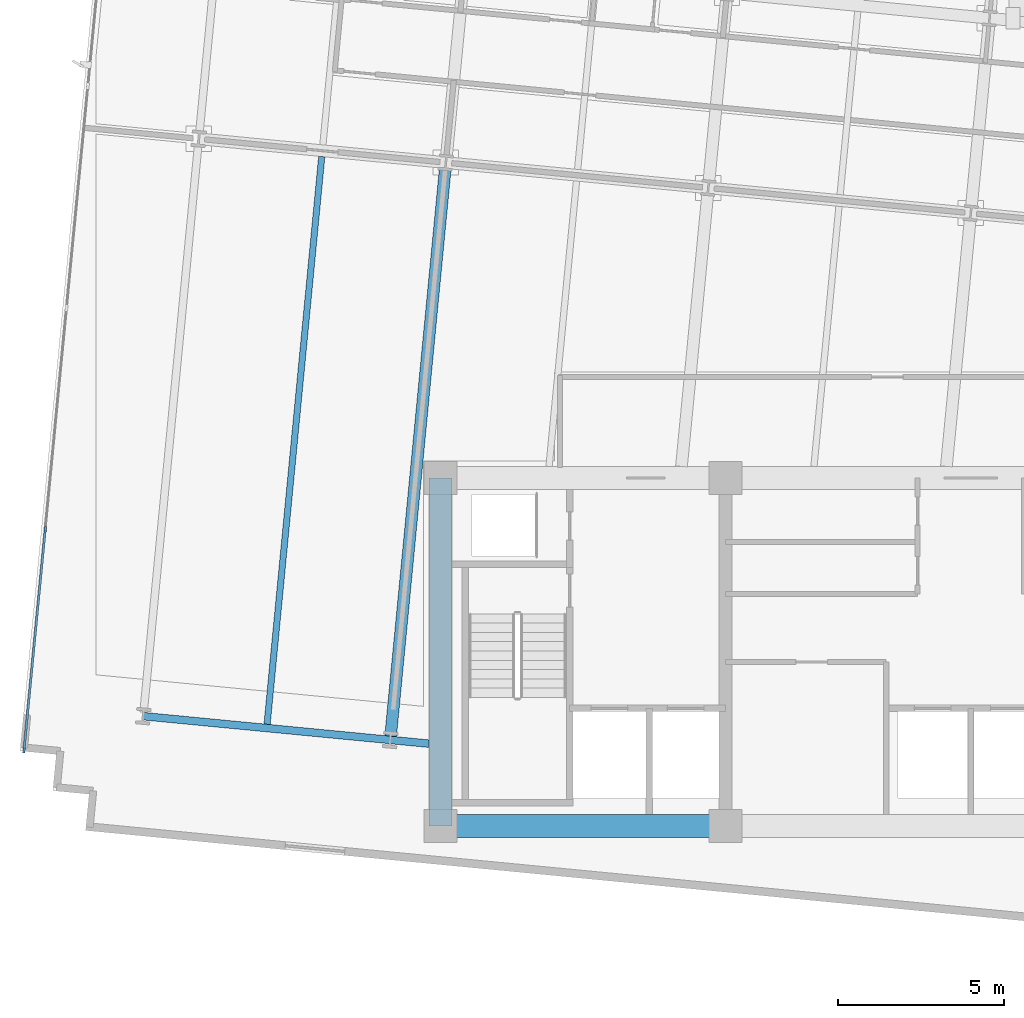
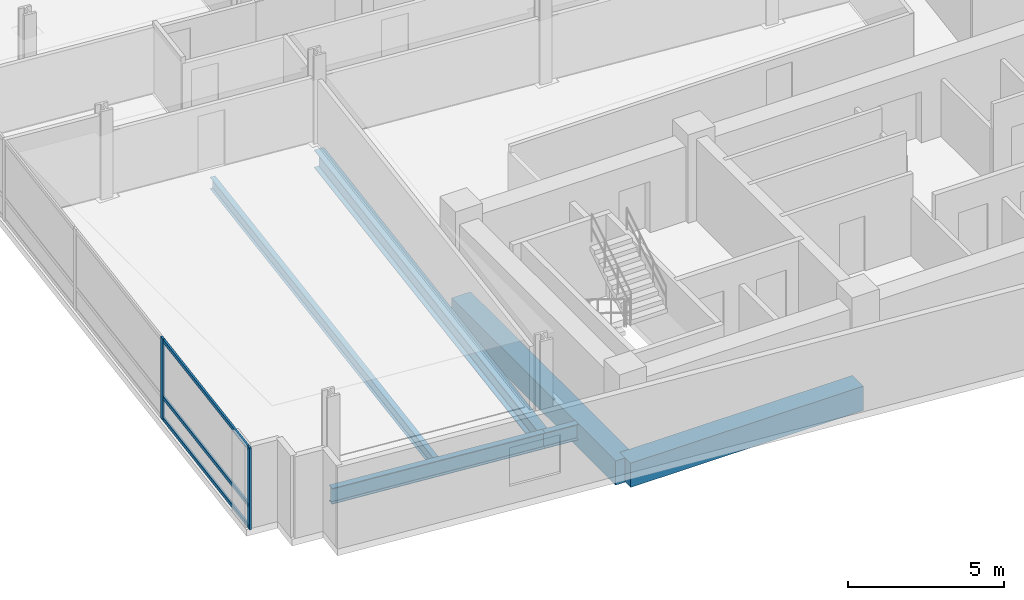
# One storey, part 2 of 17: 6 beams, 5 members, 1 element without a shape of its own.
"""IFC4 building model written with IfcOpenShell, lengths in metres."""

from ifc_helpers import new_model, si_unit, direction, frame, origin, origin_2d, place, context, subcontext, project, spatial, rectangle, i_section, extrude, material, material_profile, profile_set, type_object, element, aggregate, save


model = new_model("IFC4")

# Units and contexts
model_context = context("Model", 3, precision=1e-05, world=origin(), true_north=direction((0.0, 1.0)))
body_context = subcontext(model_context, "Body", "Model", "MODEL_VIEW")
ifc_project = project(units=[si_unit("LENGTHUNIT", "METRE"), si_unit("AREAUNIT", "SQUARE_METRE"), si_unit("VOLUMEUNIT", "CUBIC_METRE"), si_unit("PLANEANGLEUNIT", "RADIAN"), si_unit("MASSUNIT", "GRAM", prefix="KILO")], contexts=[model_context])

# Site, building, storey
site_placement = place(None, origin())
site = spatial("IfcSite", under=ifc_project, at=site_placement, CompositionType="ELEMENT")
building_placement = place(site_placement, origin())
building = spatial("IfcBuilding", under=site, at=building_placement, Name="Solmavex Isthmus Hotel", CompositionType="ELEMENT")
storey_placement = place(building_placement, frame((0.0, 0.0, 170.39990234375)))
storey = spatial("IfcBuildingStorey", under=building, at=storey_placement, Name="L46", CompositionType="ELEMENT", Elevation=170.39990234375)

# Beams
ifc_material_1 = material(Name="Steel ASTM A992 Grade 50", Category="steel")
ifc_material_profile_1 = material_profile(ifc_material_1, i_section(OverallWidth=0.354736328125, OverallDepth=0.695556640625, WebThickness=0.015380859375, FlangeThickness=0.02490234375, FilletRadius=0.017822265625, at=origin_2d()), Name="W27X146")
ifc_profile_set_1 = profile_set([ifc_material_profile_1], Name="Steel ASTM A992 Grade 50")
beam_type_1 = type_object("IfcBeamType", Name="BM-BG-W27X146", PredefinedType="BEAM", material=ifc_profile_set_1)
beam_1_placement = place(storey_placement, frame((-17.503662109375, -10.289306640625, -0.607666015625), z_axis=(0.095840821687, 0.99539667314, 0.0), x_axis=(-0.99539667314, 0.095840821687, 0.0)))
element("IfcBeam", 1, at=beam_1_placement, inside=storey, type_object=beam_type_1, Name="Floor Beam L46-VG24", PredefinedType="BEAM", context=body_context, shape_type="SweptSolid", body=[
    extrude(i_section(OverallWidth=0.354736328125, OverallDepth=0.695556640625, WebThickness=0.015380859375, FlangeThickness=0.02490234375, FilletRadius=0.017822265625, at=origin_2d()), origin(), (0.0, 0.0, 1.0), 17.207275390625),
])
ifc_material_profile_2 = material_profile(ifc_material_1, i_section(OverallWidth=0.1904296875, OverallDepth=0.456787109375, WebThickness=0.009033203125, FlangeThickness=0.014404296875, FilletRadius=0.0126953125, at=origin_2d()), Name="W18X50")
ifc_profile_set_2 = profile_set([ifc_material_profile_2], Name="Steel ASTM A992 Grade 50")
beam_type_2 = type_object("IfcBeamType", Name="BM-BJ-W18X50", PredefinedType="JOIST", material=ifc_profile_set_2)
beam_2_placement = place(storey_placement, frame((-21.23046875, -9.930419921875, -0.48828125), z_axis=(0.095840821687, 0.99539667314, 0.0), x_axis=(-0.99539667314, 0.095840821687, 0.0)))
element("IfcBeam", 2, at=beam_2_placement, inside=storey, type_object=beam_type_2, Name="Secondary Floor Joist L46-J01", PredefinedType="JOIST", context=body_context, shape_type="SweptSolid", body=[
    extrude(i_section(OverallWidth=0.1904296875, OverallDepth=0.456787109375, WebThickness=0.009033203125, FlangeThickness=0.014404296875, FilletRadius=0.0126953125, at=origin_2d()), origin(), (0.0, 0.0, 1.0), 17.207275390625),
])
ifc_material_2 = material(Name="Concrete C60/75", Category="concrete")
ifc_material_profile_3 = material_profile(ifc_material_2, rectangle(XDim=0.699951171875, YDim=0.949951171875, at=origin_2d()), Name="RC700X950")
ifc_profile_set_3 = profile_set([ifc_material_profile_3], Name="Concrete C60/75")
beam_type_3 = type_object("IfcBeamType", Name="BM-CB-700X950", PredefinedType="BEAM", material=ifc_profile_set_3)
beam_3_placement = place(storey_placement, frame((-16.0, -13.0, -0.73486328125), z_axis=(1.0, 0.0, 0.0), x_axis=(0.0, 1.0, 0.0)))
element("IfcBeam", 3, at=beam_3_placement, inside=storey, type_object=beam_type_3, Name="Core Coupling Beam L46-CB1", PredefinedType="BEAM", context=body_context, shape_type="SweptSolid", body=[
    extrude(rectangle(XDim=0.699951171875, YDim=0.949951171875, at=origin_2d()), origin(), (0.0, 0.0, 1.0), 8.60009765625),
])
beam_4_placement = place(storey_placement, frame((-16.0, -13.0, -0.73486328125), z_axis=(0.0, 1.0, 0.0), x_axis=(-1.0, 0.0, 0.0)))
element("IfcBeam", 4, at=beam_4_placement, inside=storey, type_object=beam_type_3, Name="Core Coupling Beam L46-CB7", PredefinedType="BEAM", context=body_context, shape_type="SweptSolid", body=[
    extrude(rectangle(XDim=0.699951171875, YDim=0.949951171875, at=origin_2d()), origin(), (0.0, 0.0, 1.0), 10.5),
])
ifc_material_profile_4 = material_profile(ifc_material_1, i_section(OverallWidth=0.230224609375, OverallDepth=0.617431640625, WebThickness=0.01318359375, FlangeThickness=0.022216796875, FilletRadius=0.01513671875, at=origin_2d()), Name="W24X94")
ifc_profile_set_4 = profile_set([ifc_material_profile_4], Name="Steel ASTM A992 Grade 50")
beam_type_4 = type_object("IfcBeamType", Name="BM-SP-W24X94", PredefinedType="SPANDREL", material=ifc_profile_set_4)
beam_5_placement = place(storey_placement, frame((-24.96826171875, -9.686279296875, -0.568603515625), z_axis=(0.995395279593, -0.095855293875, 0.0), x_axis=(0.095855293875, 0.995395279593, 0.0)))
element("IfcBeam", 5, at=beam_5_placement, inside=storey, type_object=beam_type_4, Name="Floor Girder L46-UG01", PredefinedType="SPANDREL", context=body_context, shape_type="SweptSolid", body=[
    extrude(i_section(OverallWidth=0.230224609375, OverallDepth=0.617431640625, WebThickness=0.01318359375, FlangeThickness=0.022216796875, FilletRadius=0.01513671875, at=origin_2d()), origin(), (0.0, 0.0, 1.0), 7.488037109375),
])
beam_6_placement = place(storey_placement, frame((-17.5146484375, -10.404052734375, -0.568603515625), z_axis=(0.995402144456, -0.095783979938, 0.0), x_axis=(0.095783979938, 0.995402144456, 0.0)))
element("IfcBeam", 6, at=beam_6_placement, inside=storey, type_object=beam_type_4, Name="Floor Girder L46-UG02", PredefinedType="SPANDREL", context=body_context, shape_type="SweptSolid", body=[
    extrude(i_section(OverallWidth=0.230224609375, OverallDepth=0.617431640625, WebThickness=0.01318359375, FlangeThickness=0.022216796875, FilletRadius=0.01513671875, at=origin_2d()), origin(), (0.0, 0.0, 1.0), 1.169921875),
])

# Curtain wall, members
ifc_material_3 = material(Name="Aluminium alloy 6063-T6", Category="aluminium")
curtain_wall_type = type_object("IfcCurtainWallType", Name="CW-SYS-03", PredefinedType="NOTDEFINED", material=ifc_material_3)
curtain_wall_placement = place(storey_placement, origin())
curtain_wall = element("IfcCurtainWall", 7, at=curtain_wall_placement, inside=storey, type_object=curtain_wall_type, Name="Stick Curtain Wall CWL-L46-W1", PredefinedType="NOTDEFINED")
ifc_material_profile_5 = material_profile(ifc_material_3, rectangle(XDim=0.070068359375, YDim=0.179931640625, at=origin_2d()), Name="CWM-70X180")
ifc_profile_set_5 = profile_set([ifc_material_profile_5], Name="Aluminium alloy 6063-T6")
member_type_1 = type_object("IfcMemberType", Name="CW-SYS-03-MUL", PredefinedType="MULLION", material=ifc_profile_set_5)
member_1_placement = place(storey_placement, frame((-28.56298828125, -10.71142578125, 0.0), z_axis=(0.0, 0.0, 1.0), x_axis=(-0.995396190038, 0.09584583902, 0.0)))
member_1 = element("IfcMember", 8, at=member_1_placement, type_object=member_type_1, Name="CW-03 mullion 1", PredefinedType="MULLION", context=body_context, shape_type="SweptSolid", body=[
    extrude(rectangle(XDim=0.070068359375, YDim=0.179931640625, at=origin_2d()), origin(), (0.0, 0.0, 1.0), 3.190185546875),
])
member_2_placement = place(storey_placement, frame((-27.92236328125, -4.057373046875, 0.0), z_axis=(0.0, 0.0, 1.0), x_axis=(-0.995396190038, 0.09584583902, 0.0)))
member_2 = element("IfcMember", 9, at=member_2_placement, type_object=member_type_1, Name="CW-03 mullion 2", PredefinedType="MULLION", context=body_context, shape_type="SweptSolid", body=[
    extrude(rectangle(XDim=0.070068359375, YDim=0.179931640625, at=origin_2d()), origin(), (0.0, 0.0, 1.0), 3.190185546875),
])
ifc_material_profile_6 = material_profile(ifc_material_3, rectangle(XDim=0.070068359375, YDim=0.139892578125, at=origin_2d()), Name="CWT-70X140")
ifc_profile_set_6 = profile_set([ifc_material_profile_6], Name="Aluminium alloy 6063-T6")
member_type_2 = type_object("IfcMemberType", Name="CW-SYS-03-TRN", PredefinedType="USERDEFINED", material=ifc_profile_set_6)
member_3_placement = place(storey_placement, frame((-28.559814453125, -10.6767578125, 0.070068359375), z_axis=(0.095845316679, 0.995396240334, 0.0), x_axis=(-0.995396240334, 0.095845316679, 0.0)))
member_3 = element("IfcMember", 10, at=member_3_placement, type_object=member_type_2, Name="CW-03 transom 1.1", ObjectType="TRANSOM", PredefinedType="USERDEFINED", context=body_context, shape_type="SweptSolid", body=[
    extrude(rectangle(XDim=0.070068359375, YDim=0.139892578125, at=origin_2d()), origin(), (0.0, 0.0, 1.0), 6.615234375),
])
member_4_placement = place(storey_placement, frame((-28.559814453125, -10.6767578125, 0.900146484375), z_axis=(0.095845316679, 0.995396240334, 0.0), x_axis=(-0.995396240334, 0.095845316679, 0.0)))
member_4 = element("IfcMember", 11, at=member_4_placement, type_object=member_type_2, Name="CW-03 transom 1.2", ObjectType="TRANSOM", PredefinedType="USERDEFINED", context=body_context, shape_type="SweptSolid", body=[
    extrude(rectangle(XDim=0.070068359375, YDim=0.139892578125, at=origin_2d()), origin(), (0.0, 0.0, 1.0), 6.615234375),
])
member_5_placement = place(storey_placement, frame((-28.559814453125, -10.6767578125, 3.1201171875), z_axis=(0.095845316679, 0.995396240334, 0.0), x_axis=(-0.995396240334, 0.095845316679, 0.0)))
member_5 = element("IfcMember", 12, at=member_5_placement, type_object=member_type_2, Name="CW-03 transom 1.3", ObjectType="TRANSOM", PredefinedType="USERDEFINED", context=body_context, shape_type="SweptSolid", body=[
    extrude(rectangle(XDim=0.070068359375, YDim=0.139892578125, at=origin_2d()), origin(), (0.0, 0.0, 1.0), 6.615234375),
])
aggregate(curtain_wall, [member_1, member_2, member_3, member_4, member_5])

save(model, "model.ifc")
